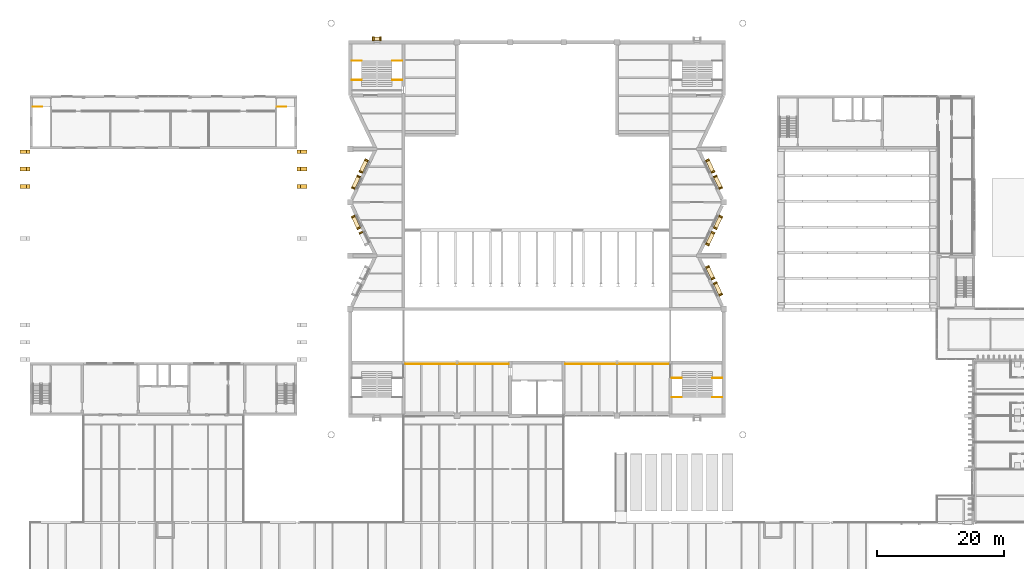
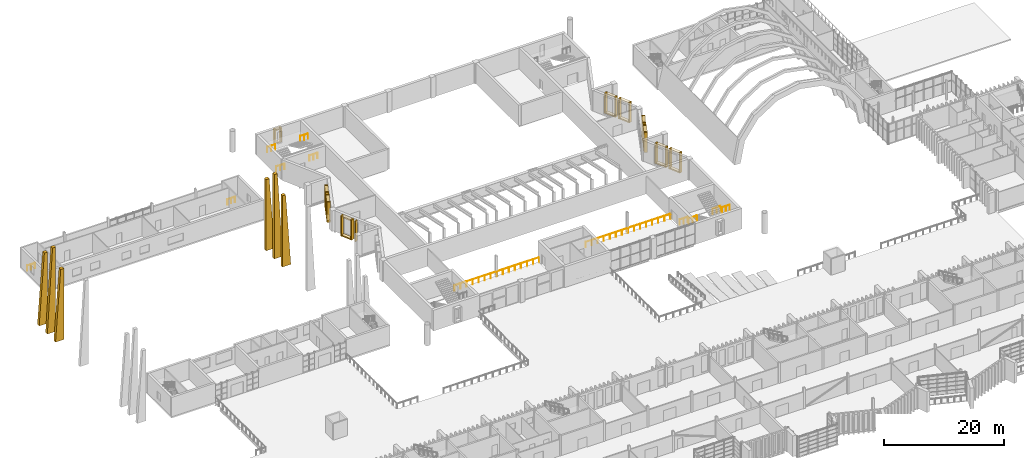
# One storey, part 89 of 96: 47 coverings, 12 railings.
"""IFC4 building model written with IfcOpenShell, lengths in metres."""

from ifc_helpers import new_model, si_unit, direction, frame, origin, origin_2d, place, context, subcontext, project, spatial, polyline, rectangle, circle, outline, extrude, material, type_object, element, save


model = new_model("IFC4")

# Units and contexts
model_context = context("Model", 3, precision=1e-05, world=origin(), true_north=direction((0.0, 1.0)))
body_context = subcontext(model_context, "Body", "Model", "MODEL_VIEW")
ifc_project = project(units=[si_unit("LENGTHUNIT", "METRE"), si_unit("AREAUNIT", "SQUARE_METRE"), si_unit("VOLUMEUNIT", "CUBIC_METRE"), si_unit("PLANEANGLEUNIT", "RADIAN"), si_unit("MASSUNIT", "GRAM", prefix="KILO")], contexts=[model_context])

# Site, building, storey
site_placement = place(None, origin())
site = spatial("IfcSite", under=ifc_project, at=site_placement, CompositionType="ELEMENT")
building_placement = place(site_placement, origin())
building = spatial("IfcBuilding", under=site, at=building_placement, Name="Cresset Court Congress Hotel", CompositionType="ELEMENT")
storey_placement = place(building_placement, frame((0.0, 0.0, 6.0)))
storey = spatial("IfcBuildingStorey", under=building, at=storey_placement, Name="L01", CompositionType="ELEMENT", Elevation=6.0)

# Railings
ifc_material_1 = material(Name="Steel and laminated glass", Category="steel")
railing_type_1 = type_object("IfcRailingType", Name="Guard 1100 steel and glass", PredefinedType="GUARDRAIL", material=ifc_material_1)
for number, where, name in (
    (1, (109.449951171875, 64.75, 0.0), "Guard CC-C2L01a"),
    (2, (115.800048828125, 64.75, 0.0), "Guard CC-C2L01b"),
    (3, (109.449951171875, 61.719970703125, 2.10009765625), "Guard CC-C2L01a"),
    (4, (115.800048828125, 61.719970703125, 2.10009765625), "Guard CC-C2L01b"),
    (5, (59.050048828125, 111.64990234375, 0.0), "Guard CC-C3L01a"),
    (6, (65.39990234375, 111.64990234375, 0.0), "Guard CC-C3L01b"),
    (7, (59.050048828125, 114.679931640625, 2.10009765625), "Guard CC-C3L01a"),
    (8, (65.39990234375, 114.679931640625, 2.10009765625), "Guard CC-C3L01b"),
):
    element("IfcRailing", number, at=place(storey_placement, frame(where)), inside=storey, type_object=railing_type_1, Name=name, PredefinedType="GUARDRAIL", context=body_context, shape_type="SweptSolid", body=[
        extrude(circle(Radius=0.02490234375, at=origin_2d()), frame((0.0, 0.0, 1.0751953125), z_axis=(1.0, 0.0, 0.0), x_axis=(0.0, 1.0, 0.0)), (0.0, 0.0, 1.0), 1.550048828125),
        extrude(circle(Radius=0.02001953125, at=origin_2d()), origin(), (0.0, 0.0, 1.0), 1.050048828125),
        extrude(circle(Radius=0.02001953125, at=origin_2d()), frame((0.77490234375, 0.0, 0.0)), (0.0, 0.0, 1.0), 1.050048828125),
        extrude(circle(Radius=0.02001953125, at=origin_2d()), frame((1.550048828125, 0.0, 0.0)), (0.0, 0.0, 1.0), 1.050048828125),
    ])
railing_1_placement = place(storey_placement, frame((67.449951171875, 66.949951171875, 0.0)))
element("IfcRailing", 9, at=railing_1_placement, inside=storey, type_object=railing_type_1, Name="Guard CG-G1", PredefinedType="GUARDRAIL", context=body_context, shape_type="SweptSolid", body=[
    extrude(circle(Radius=0.02490234375, at=origin_2d()), frame((0.0, 0.0, 1.0751953125), z_axis=(1.0, 0.0, 0.0), x_axis=(0.0, 1.0, 0.0)), (0.0, 0.0, 1.0), 16.300048828125),
    extrude(circle(Radius=0.02001953125, at=origin_2d()), origin(), (0.0, 0.0, 1.0), 1.050048828125),
    extrude(circle(Radius=0.02001953125, at=origin_2d()), frame((1.164306640625, 0.0, 0.0)), (0.0, 0.0, 1.0), 1.050048828125),
    extrude(circle(Radius=0.02001953125, at=origin_2d()), frame((2.32861328125, 0.0, 0.0)), (0.0, 0.0, 1.0), 1.050048828125),
    extrude(circle(Radius=0.02001953125, at=origin_2d()), frame((3.492919921875, 0.0, 0.0)), (0.0, 0.0, 1.0), 1.050048828125),
    extrude(circle(Radius=0.02001953125, at=origin_2d()), frame((4.6572265625, 0.0, 0.0)), (0.0, 0.0, 1.0), 1.050048828125),
    extrude(circle(Radius=0.02001953125, at=origin_2d()), frame((5.821533203125, 0.0, 0.0)), (0.0, 0.0, 1.0), 1.050048828125),
    extrude(circle(Radius=0.02001953125, at=origin_2d()), frame((6.98583984375, 0.0, 0.0)), (0.0, 0.0, 1.0), 1.050048828125),
    extrude(circle(Radius=0.02001953125, at=origin_2d()), frame((8.14990234375, 0.0, 0.0)), (0.0, 0.0, 1.0), 1.050048828125),
    extrude(circle(Radius=0.02001953125, at=origin_2d()), frame((9.314208984375, 0.0, 0.0)), (0.0, 0.0, 1.0), 1.050048828125),
    extrude(circle(Radius=0.02001953125, at=origin_2d()), frame((10.478515625, 0.0, 0.0)), (0.0, 0.0, 1.0), 1.050048828125),
    extrude(circle(Radius=0.02001953125, at=origin_2d()), frame((11.642822265625, 0.0, 0.0)), (0.0, 0.0, 1.0), 1.050048828125),
    extrude(circle(Radius=0.02001953125, at=origin_2d()), frame((12.80712890625, 0.0, 0.0)), (0.0, 0.0, 1.0), 1.050048828125),
    extrude(circle(Radius=0.02001953125, at=origin_2d()), frame((13.971435546875, 0.0, 0.0)), (0.0, 0.0, 1.0), 1.050048828125),
    extrude(circle(Radius=0.02001953125, at=origin_2d()), frame((15.1357421875, 0.0, 0.0)), (0.0, 0.0, 1.0), 1.050048828125),
    extrude(circle(Radius=0.02001953125, at=origin_2d()), frame((16.300048828125, 0.0, 0.0)), (0.0, 0.0, 1.0), 1.050048828125),
])
railing_2_placement = place(storey_placement, frame((92.64990234375, 66.949951171875, 0.0)))
element("IfcRailing", 10, at=railing_2_placement, inside=storey, type_object=railing_type_1, Name="Guard CG-G2", PredefinedType="GUARDRAIL", context=body_context, shape_type="SweptSolid", body=[
    extrude(circle(Radius=0.02490234375, at=origin_2d()), frame((0.0, 0.0, 1.0751953125), z_axis=(1.0, 0.0, 0.0), x_axis=(0.0, 1.0, 0.0)), (0.0, 0.0, 1.0), 16.300048828125),
    extrude(circle(Radius=0.02001953125, at=origin_2d()), origin(), (0.0, 0.0, 1.0), 1.050048828125),
    extrude(circle(Radius=0.02001953125, at=origin_2d()), frame((1.164306640625, 0.0, 0.0)), (0.0, 0.0, 1.0), 1.050048828125),
    extrude(circle(Radius=0.02001953125, at=origin_2d()), frame((2.32861328125, 0.0, 0.0)), (0.0, 0.0, 1.0), 1.050048828125),
    extrude(circle(Radius=0.02001953125, at=origin_2d()), frame((3.492919921875, 0.0, 0.0)), (0.0, 0.0, 1.0), 1.050048828125),
    extrude(circle(Radius=0.02001953125, at=origin_2d()), frame((4.6572265625, 0.0, 0.0)), (0.0, 0.0, 1.0), 1.050048828125),
    extrude(circle(Radius=0.02001953125, at=origin_2d()), frame((5.821533203125, 0.0, 0.0)), (0.0, 0.0, 1.0), 1.050048828125),
    extrude(circle(Radius=0.02001953125, at=origin_2d()), frame((6.98583984375, 0.0, 0.0)), (0.0, 0.0, 1.0), 1.050048828125),
    extrude(circle(Radius=0.02001953125, at=origin_2d()), frame((8.14990234375, 0.0, 0.0)), (0.0, 0.0, 1.0), 1.050048828125),
    extrude(circle(Radius=0.02001953125, at=origin_2d()), frame((9.314208984375, 0.0, 0.0)), (0.0, 0.0, 1.0), 1.050048828125),
    extrude(circle(Radius=0.02001953125, at=origin_2d()), frame((10.478515625, 0.0, 0.0)), (0.0, 0.0, 1.0), 1.050048828125),
    extrude(circle(Radius=0.02001953125, at=origin_2d()), frame((11.642822265625, 0.0, 0.0)), (0.0, 0.0, 1.0), 1.050048828125),
    extrude(circle(Radius=0.02001953125, at=origin_2d()), frame((12.80712890625, 0.0, 0.0)), (0.0, 0.0, 1.0), 1.050048828125),
    extrude(circle(Radius=0.02001953125, at=origin_2d()), frame((13.971435546875, 0.0, 0.0)), (0.0, 0.0, 1.0), 1.050048828125),
    extrude(circle(Radius=0.02001953125, at=origin_2d()), frame((15.1357421875, 0.0, 0.0)), (0.0, 0.0, 1.0), 1.050048828125),
    extrude(circle(Radius=0.02001953125, at=origin_2d()), frame((16.300048828125, 0.0, 0.0)), (0.0, 0.0, 1.0), 1.050048828125),
])

# Coverings
ifc_material_2 = material(Name="Precast concrete C50", Category="concrete")
covering_type_1 = type_object("IfcCoveringType", Name="Precast reveal frame member 250x600", PredefinedType="CLADDING", material=ifc_material_2)
for number, where, z_axis, x_axis, name in (
    (11, (60.469970703125, 97.18603515625, 0.050048828125), (0.0, 0.0, 1.0), (0.429932870312, 0.902860856957, 0.0), "Reveal frame NC-01-W0197a"),
    (12, (61.351318359375, 99.036865234375, 0.050048828125), (0.0, 0.0, 1.0), (0.429932870312, 0.902860856957, 0.0), "Reveal frame NC-01-W0197b"),
):
    element("IfcCovering", number, at=place(storey_placement, frame(where, z_axis=z_axis, x_axis=x_axis)), inside=storey, type_object=covering_type_1, Name=name, PredefinedType="CLADDING", context=body_context, shape_type="SweptSolid", body=[
        extrude(rectangle(XDim=0.25, YDim=0.60009765625, at=origin_2d()), origin(), (0.0, 0.0, 1.0), 4.10009765625),
    ])
for number, where, z_axis, x_axis, name in (
    (13, (60.91064453125, 98.111572265625, 3.89990234375), (0.0, 0.0, 1.0), (0.429932870312, 0.902860856957, 0.0), "Reveal frame NC-01-W0197c"),
    (14, (60.91064453125, 98.111572265625, 0.050048828125), (0.0, 0.0, 1.0), (0.429932870312, 0.902860856957, 0.0), "Reveal frame NC-01-W0197d"),
):
    element("IfcCovering", number, at=place(storey_placement, frame(where, z_axis=z_axis, x_axis=x_axis)), inside=storey, type_object=covering_type_1, Name=name, PredefinedType="CLADDING", context=body_context, shape_type="SweptSolid", body=[
        extrude(rectangle(XDim=1.800048828125, YDim=0.60009765625, at=origin_2d()), origin(), (0.0, 0.0, 1.0), 0.25),
    ])
for number, where, z_axis, x_axis, name in (
    (15, (59.255615234375, 94.635986328125, 0.050048828125), (0.0, 0.0, 1.0), (0.429932870312, 0.902860856957, 0.0), "Reveal frame NC-01-W0222a"),
    (16, (60.136962890625, 96.48681640625, 0.050048828125), (0.0, 0.0, 1.0), (0.429932870312, 0.902860856957, 0.0), "Reveal frame NC-01-W0222b"),
):
    element("IfcCovering", number, at=place(storey_placement, frame(where, z_axis=z_axis, x_axis=x_axis)), inside=storey, type_object=covering_type_1, Name=name, PredefinedType="CLADDING", context=body_context, shape_type="SweptSolid", body=[
        extrude(rectangle(XDim=0.25, YDim=0.60009765625, at=origin_2d()), origin(), (0.0, 0.0, 1.0), 4.10009765625),
    ])
for number, where, z_axis, x_axis, name in (
    (17, (59.6962890625, 95.5615234375, 3.89990234375), (0.0, 0.0, 1.0), (0.429932870312, 0.902860856957, 0.0), "Reveal frame NC-01-W0222c"),
    (18, (59.6962890625, 95.5615234375, 0.050048828125), (0.0, 0.0, 1.0), (0.429932870312, 0.902860856957, 0.0), "Reveal frame NC-01-W0222d"),
):
    element("IfcCovering", number, at=place(storey_placement, frame(where, z_axis=z_axis, x_axis=x_axis)), inside=storey, type_object=covering_type_1, Name=name, PredefinedType="CLADDING", context=body_context, shape_type="SweptSolid", body=[
        extrude(rectangle(XDim=1.800048828125, YDim=0.60009765625, at=origin_2d()), origin(), (0.0, 0.0, 1.0), 0.25),
    ])
for number, where, z_axis, x_axis, name in (
    (19, (60.136962890625, 88.31298828125, 0.050048828125), (0.0, 0.0, 1.0), (-0.429932870312, 0.902860856957, 0.0), "Reveal frame NC-01-W0281a"),
    (20, (59.255615234375, 90.163818359375, 0.050048828125), (0.0, 0.0, 1.0), (-0.429932870312, 0.902860856957, 0.0), "Reveal frame NC-01-W0281b"),
):
    element("IfcCovering", number, at=place(storey_placement, frame(where, z_axis=z_axis, x_axis=x_axis)), inside=storey, type_object=covering_type_1, Name=name, PredefinedType="CLADDING", context=body_context, shape_type="SweptSolid", body=[
        extrude(rectangle(XDim=0.25, YDim=0.60009765625, at=origin_2d()), origin(), (0.0, 0.0, 1.0), 4.10009765625),
    ])
for number, where, z_axis, x_axis, name in (
    (21, (59.6962890625, 89.238525390625, 3.89990234375), (0.0, 0.0, 1.0), (-0.429932870312, 0.902860856957, 0.0), "Reveal frame NC-01-W0281c"),
    (22, (59.6962890625, 89.238525390625, 0.050048828125), (0.0, 0.0, 1.0), (-0.429932870312, 0.902860856957, 0.0), "Reveal frame NC-01-W0281d"),
):
    element("IfcCovering", number, at=place(storey_placement, frame(where, z_axis=z_axis, x_axis=x_axis)), inside=storey, type_object=covering_type_1, Name=name, PredefinedType="CLADDING", context=body_context, shape_type="SweptSolid", body=[
        extrude(rectangle(XDim=1.800048828125, YDim=0.60009765625, at=origin_2d()), origin(), (0.0, 0.0, 1.0), 0.25),
    ])
for number, where, z_axis, x_axis, name in (
    (23, (60.469970703125, 87.614013671875, 0.050048828125), (0.0, 0.0, 1.0), (-0.429932870312, 0.902860856957, 0.0), "Reveal frame NC-01-W0306b"),
    (24, (116.262939453125, 79.68701171875, 0.050048828125), (0.0, 0.0, 1.0), (0.429932870312, -0.902860856957, 0.0), "Reveal frame NC-01-E0197a"),
    (25, (117.144287109375, 77.836181640625, 0.050048828125), (0.0, 0.0, 1.0), (0.429932870312, -0.902860856957, 0.0), "Reveal frame NC-01-E0197b"),
):
    element("IfcCovering", number, at=place(storey_placement, frame(where, z_axis=z_axis, x_axis=x_axis)), inside=storey, type_object=covering_type_1, Name=name, PredefinedType="CLADDING", context=body_context, shape_type="SweptSolid", body=[
        extrude(rectangle(XDim=0.25, YDim=0.60009765625, at=origin_2d()), origin(), (0.0, 0.0, 1.0), 4.10009765625),
    ])
for number, where, z_axis, x_axis, name in (
    (26, (116.70361328125, 78.761474609375, 3.89990234375), (0.0, 0.0, 1.0), (0.429932870312, -0.902860856957, 0.0), "Reveal frame NC-01-E0197c"),
    (27, (116.70361328125, 78.761474609375, 0.050048828125), (0.0, 0.0, 1.0), (0.429932870312, -0.902860856957, 0.0), "Reveal frame NC-01-E0197d"),
):
    element("IfcCovering", number, at=place(storey_placement, frame(where, z_axis=z_axis, x_axis=x_axis)), inside=storey, type_object=covering_type_1, Name=name, PredefinedType="CLADDING", context=body_context, shape_type="SweptSolid", body=[
        extrude(rectangle(XDim=1.800048828125, YDim=0.60009765625, at=origin_2d()), origin(), (0.0, 0.0, 1.0), 0.25),
    ])
for number, where, z_axis, x_axis, name in (
    (28, (115.048828125, 82.23681640625, 0.050048828125), (0.0, 0.0, 1.0), (0.429932870312, -0.902860856957, 0.0), "Reveal frame NC-01-E0222a"),
    (29, (115.93017578125, 80.385986328125, 0.050048828125), (0.0, 0.0, 1.0), (0.429932870312, -0.902860856957, 0.0), "Reveal frame NC-01-E0222b"),
):
    element("IfcCovering", number, at=place(storey_placement, frame(where, z_axis=z_axis, x_axis=x_axis)), inside=storey, type_object=covering_type_1, Name=name, PredefinedType="CLADDING", context=body_context, shape_type="SweptSolid", body=[
        extrude(rectangle(XDim=0.25, YDim=0.60009765625, at=origin_2d()), origin(), (0.0, 0.0, 1.0), 4.10009765625),
    ])
for number, where, z_axis, x_axis, name in (
    (30, (115.489501953125, 81.3115234375, 3.89990234375), (0.0, 0.0, 1.0), (0.429932870312, -0.902860856957, 0.0), "Reveal frame NC-01-E0222c"),
    (31, (115.489501953125, 81.3115234375, 0.050048828125), (0.0, 0.0, 1.0), (0.429932870312, -0.902860856957, 0.0), "Reveal frame NC-01-E0222d"),
):
    element("IfcCovering", number, at=place(storey_placement, frame(where, z_axis=z_axis, x_axis=x_axis)), inside=storey, type_object=covering_type_1, Name=name, PredefinedType="CLADDING", context=body_context, shape_type="SweptSolid", body=[
        extrude(rectangle(XDim=1.800048828125, YDim=0.60009765625, at=origin_2d()), origin(), (0.0, 0.0, 1.0), 0.25),
    ])
for number, where, z_axis, x_axis, name in (
    (32, (115.93017578125, 87.614013671875, 0.050048828125), (0.0, 0.0, 1.0), (-0.429932870312, -0.902860856957, 0.0), "Reveal frame NC-01-E0281a"),
    (33, (115.048583984375, 85.76318359375, 0.050048828125), (0.0, 0.0, 1.0), (-0.429932870312, -0.902860856957, 0.0), "Reveal frame NC-01-E0281b"),
):
    element("IfcCovering", number, at=place(storey_placement, frame(where, z_axis=z_axis, x_axis=x_axis)), inside=storey, type_object=covering_type_1, Name=name, PredefinedType="CLADDING", context=body_context, shape_type="SweptSolid", body=[
        extrude(rectangle(XDim=0.25, YDim=0.60009765625, at=origin_2d()), origin(), (0.0, 0.0, 1.0), 4.10009765625),
    ])
for number, where, z_axis, x_axis, name in (
    (34, (115.489501953125, 86.6884765625, 3.89990234375), (0.0, 0.0, 1.0), (-0.429932870312, -0.902860856957, 0.0), "Reveal frame NC-01-E0281c"),
    (35, (115.489501953125, 86.6884765625, 0.050048828125), (0.0, 0.0, 1.0), (-0.429932870312, -0.902860856957, 0.0), "Reveal frame NC-01-E0281d"),
):
    element("IfcCovering", number, at=place(storey_placement, frame(where, z_axis=z_axis, x_axis=x_axis)), inside=storey, type_object=covering_type_1, Name=name, PredefinedType="CLADDING", context=body_context, shape_type="SweptSolid", body=[
        extrude(rectangle(XDim=1.800048828125, YDim=0.60009765625, at=origin_2d()), origin(), (0.0, 0.0, 1.0), 0.25),
    ])
for number, where, z_axis, x_axis, name in (
    (36, (117.144287109375, 90.1640625, 0.050048828125), (0.0, 0.0, 1.0), (-0.429932870312, -0.902860856957, 0.0), "Reveal frame NC-01-E0306a"),
    (37, (116.262939453125, 88.31298828125, 0.050048828125), (0.0, 0.0, 1.0), (-0.429932870312, -0.902860856957, 0.0), "Reveal frame NC-01-E0306b"),
):
    element("IfcCovering", number, at=place(storey_placement, frame(where, z_axis=z_axis, x_axis=x_axis)), inside=storey, type_object=covering_type_1, Name=name, PredefinedType="CLADDING", context=body_context, shape_type="SweptSolid", body=[
        extrude(rectangle(XDim=0.25, YDim=0.60009765625, at=origin_2d()), origin(), (0.0, 0.0, 1.0), 4.10009765625),
    ])
for number, where, z_axis, x_axis, name in (
    (38, (116.70361328125, 89.238525390625, 3.89990234375), (0.0, 0.0, 1.0), (-0.429932870312, -0.902860856957, 0.0), "Reveal frame NC-01-E0306c"),
    (39, (116.70361328125, 89.238525390625, 0.050048828125), (0.0, 0.0, 1.0), (-0.429932870312, -0.902860856957, 0.0), "Reveal frame NC-01-E0306d"),
):
    element("IfcCovering", number, at=place(storey_placement, frame(where, z_axis=z_axis, x_axis=x_axis)), inside=storey, type_object=covering_type_1, Name=name, PredefinedType="CLADDING", context=body_context, shape_type="SweptSolid", body=[
        extrude(rectangle(XDim=1.800048828125, YDim=0.60009765625, at=origin_2d()), origin(), (0.0, 0.0, 1.0), 0.25),
    ])
for number, where, z_axis, x_axis, name in (
    (40, (116.262939453125, 96.48681640625, 0.050048828125), (0.0, 0.0, 1.0), (0.429932870312, -0.902860856957, 0.0), "Reveal frame NC-01-E0365a"),
    (41, (117.144287109375, 94.635986328125, 0.050048828125), (0.0, 0.0, 1.0), (0.429932870312, -0.902860856957, 0.0), "Reveal frame NC-01-E0365b"),
):
    element("IfcCovering", number, at=place(storey_placement, frame(where, z_axis=z_axis, x_axis=x_axis)), inside=storey, type_object=covering_type_1, Name=name, PredefinedType="CLADDING", context=body_context, shape_type="SweptSolid", body=[
        extrude(rectangle(XDim=0.25, YDim=0.60009765625, at=origin_2d()), origin(), (0.0, 0.0, 1.0), 4.10009765625),
    ])
for number, where, z_axis, x_axis, name in (
    (42, (116.70361328125, 95.5615234375, 3.89990234375), (0.0, 0.0, 1.0), (0.429932870312, -0.902860856957, 0.0), "Reveal frame NC-01-E0365c"),
    (43, (116.70361328125, 95.5615234375, 0.050048828125), (0.0, 0.0, 1.0), (0.429932870312, -0.902860856957, 0.0), "Reveal frame NC-01-E0365d"),
):
    element("IfcCovering", number, at=place(storey_placement, frame(where, z_axis=z_axis, x_axis=x_axis)), inside=storey, type_object=covering_type_1, Name=name, PredefinedType="CLADDING", context=body_context, shape_type="SweptSolid", body=[
        extrude(rectangle(XDim=1.800048828125, YDim=0.60009765625, at=origin_2d()), origin(), (0.0, 0.0, 1.0), 0.25),
    ])
for number, where, z_axis, x_axis, name in (
    (44, (115.048828125, 99.036865234375, 0.050048828125), (0.0, 0.0, 1.0), (0.429932870312, -0.902860856957, 0.0), "Reveal frame NC-01-E0390a"),
    (45, (115.93017578125, 97.18603515625, 0.050048828125), (0.0, 0.0, 1.0), (0.429932870312, -0.902860856957, 0.0), "Reveal frame NC-01-E0390b"),
):
    element("IfcCovering", number, at=place(storey_placement, frame(where, z_axis=z_axis, x_axis=x_axis)), inside=storey, type_object=covering_type_1, Name=name, PredefinedType="CLADDING", context=body_context, shape_type="SweptSolid", body=[
        extrude(rectangle(XDim=0.25, YDim=0.60009765625, at=origin_2d()), origin(), (0.0, 0.0, 1.0), 4.10009765625),
    ])
for number, where, z_axis, x_axis, name in (
    (46, (115.489501953125, 98.111572265625, 3.89990234375), (0.0, 0.0, 1.0), (0.429932870312, -0.902860856957, 0.0), "Reveal frame NC-01-E0390c"),
    (47, (115.489501953125, 98.111572265625, 0.050048828125), (0.0, 0.0, 1.0), (0.429932870312, -0.902860856957, 0.0), "Reveal frame NC-01-E0390d"),
):
    element("IfcCovering", number, at=place(storey_placement, frame(where, z_axis=z_axis, x_axis=x_axis)), inside=storey, type_object=covering_type_1, Name=name, PredefinedType="CLADDING", context=body_context, shape_type="SweptSolid", body=[
        extrude(rectangle(XDim=1.800048828125, YDim=0.60009765625, at=origin_2d()), origin(), (0.0, 0.0, 1.0), 0.25),
    ])
for number, where, z_axis, x_axis, name in (
    (48, (62.425048828125, 118.14990234375, 0.650146484375), (0.0, 0.0, 1.0), (1.0, 0.0, 0.0), "Reveal frame NC-01-C3a"),
    (49, (63.574951171875, 118.14990234375, 0.650146484375), (0.0, 0.0, 1.0), (1.0, 0.0, 0.0), "Reveal frame NC-01-C3b"),
):
    element("IfcCovering", number, at=place(storey_placement, frame(where, z_axis=z_axis, x_axis=x_axis)), inside=storey, type_object=covering_type_1, Name=name, PredefinedType="CLADDING", context=body_context, shape_type="SweptSolid", body=[
        extrude(rectangle(XDim=0.25, YDim=0.60009765625, at=origin_2d()), origin(), (0.0, 0.0, 1.0), 2.89990234375),
    ])
for number, where, z_axis, x_axis, name in (
    (50, (63.0, 118.14990234375, 3.300048828125), (0.0, 0.0, 1.0), (1.0, 0.0, 0.0), "Reveal frame NC-01-C3c"),
    (51, (63.0, 118.14990234375, 0.64990234375), (0.0, 0.0, 1.0), (1.0, 0.0, 0.0), "Reveal frame NC-01-C3d"),
):
    element("IfcCovering", number, at=place(storey_placement, frame(where, z_axis=z_axis, x_axis=x_axis)), inside=storey, type_object=covering_type_1, Name=name, PredefinedType="CLADDING", context=body_context, shape_type="SweptSolid", body=[
        extrude(rectangle(XDim=0.89990234375, YDim=0.60009765625, at=origin_2d()), origin(), (0.0, 0.0, 1.0), 0.25),
    ])
ifc_material_3 = material(Name="Board-marked concrete C50", Category="concrete")
covering_type_2 = type_object("IfcCoveringType", Name="Raked pier 600", PredefinedType="CLADDING", material=ifc_material_3)
covering_1_placement = place(storey_placement, frame((0.0, 94.89990234375, -6.0)))
element("IfcCovering", 52, at=covering_1_placement, inside=storey, type_object=covering_type_2, Name="Raked pier DB-W11", PredefinedType="CLADDING", context=body_context, shape_type="SweptSolid", body=[
    extrude(outline(polyline([(8.39990234375, 14.44677734375), (7.800048828125, 14.44677734375), (6.800048828125, 0.0), (8.39990234375, 0.0), (8.39990234375, 14.44677734375)])), frame((0.0, 0.300048828125, 0.0), z_axis=(0.0, -1.0, 0.0), x_axis=(1.0, 0.0, 0.0)), (0.0, 0.0, 1.0), 0.60009765625),
])
covering_2_placement = place(storey_placement, frame((0.0, 97.625, -6.0)))
element("IfcCovering", 53, at=covering_2_placement, inside=storey, type_object=covering_type_2, Name="Raked pier DB-W12", PredefinedType="CLADDING", context=body_context, shape_type="SweptSolid", body=[
    extrude(outline(polyline([(8.39990234375, 17.116455078125), (7.800048828125, 17.116455078125), (6.800048828125, 0.0), (8.39990234375, 0.0), (8.39990234375, 17.116455078125)])), frame((0.0, 0.300048828125, 0.0), z_axis=(0.0, -1.0, 0.0), x_axis=(1.0, 0.0, 0.0)), (0.0, 0.0, 1.0), 0.60009765625),
])
covering_3_placement = place(storey_placement, frame((0.0, 100.35009765625, -6.0)))
element("IfcCovering", 54, at=covering_3_placement, inside=storey, type_object=covering_type_2, Name="Raked pier DB-W13", PredefinedType="CLADDING", context=body_context, shape_type="SweptSolid", body=[
    extrude(outline(polyline([(8.39990234375, 14.44677734375), (7.800048828125, 14.44677734375), (6.800048828125, 0.0), (8.39990234375, 0.0), (8.39990234375, 14.44677734375)])), frame((0.0, 0.300048828125, 0.0), z_axis=(0.0, -1.0, 0.0), x_axis=(1.0, 0.0, 0.0)), (0.0, 0.0, 1.0), 0.60009765625),
])
covering_4_placement = place(storey_placement, frame((0.0, 94.89990234375, -6.0)))
element("IfcCovering", 55, at=covering_4_placement, inside=storey, type_object=covering_type_2, Name="Raked pier DB-E11", PredefinedType="CLADDING", context=body_context, shape_type="SweptSolid", body=[
    extrude(outline(polyline([(50.39990234375, 0.0), (52.0, 0.0), (51.0, 14.44677734375), (50.39990234375, 14.44677734375), (50.39990234375, 0.0)])), frame((0.0, 0.300048828125, 0.0), z_axis=(0.0, -1.0, 0.0), x_axis=(1.0, 0.0, 0.0)), (0.0, 0.0, 1.0), 0.60009765625),
])
covering_5_placement = place(storey_placement, frame((0.0, 97.625, -6.0)))
element("IfcCovering", 56, at=covering_5_placement, inside=storey, type_object=covering_type_2, Name="Raked pier DB-E12", PredefinedType="CLADDING", context=body_context, shape_type="SweptSolid", body=[
    extrude(outline(polyline([(50.39990234375, 0.0), (52.0, 0.0), (51.0, 17.116455078125), (50.39990234375, 17.116455078125), (50.39990234375, 0.0)])), frame((0.0, 0.300048828125, 0.0), z_axis=(0.0, -1.0, 0.0), x_axis=(1.0, 0.0, 0.0)), (0.0, 0.0, 1.0), 0.60009765625),
])
covering_6_placement = place(storey_placement, frame((0.0, 100.35009765625, -6.0)))
element("IfcCovering", 57, at=covering_6_placement, inside=storey, type_object=covering_type_2, Name="Raked pier DB-E13", PredefinedType="CLADDING", context=body_context, shape_type="SweptSolid", body=[
    extrude(outline(polyline([(50.39990234375, 0.0), (52.0, 0.0), (51.0, 14.44677734375), (50.39990234375, 14.44677734375), (50.39990234375, 0.0)])), frame((0.0, 0.300048828125, 0.0), z_axis=(0.0, -1.0, 0.0), x_axis=(1.0, 0.0, 0.0)), (0.0, 0.0, 1.0), 0.60009765625),
])

# Railings
ifc_material_4 = material(Name="Stainless steel", Category="steel")
railing_type_2 = type_object("IfcRailingType", Name="Stair guard 1100 internal", PredefinedType="GUARDRAIL", material=ifc_material_4)
for number, where, name in (
    (58, (8.800048828125, 107.449951171875, 0.0), "L01 ST-D3 top well guard 1"),
    (59, (47.25, 107.449951171875, 0.0), "L01 ST-D4 top well guard 1"),
):
    element("IfcRailing", number, at=place(storey_placement, frame(where)), inside=storey, type_object=railing_type_2, Name=name, PredefinedType="GUARDRAIL", context=body_context, shape_type="SweptSolid", body=[
        extrude(circle(Radius=0.02392578125, at=origin_2d()), frame((0.0, 0.0, 1.076171875), z_axis=(1.0, 0.0, 0.0), x_axis=(0.0, 1.0, 0.0)), (0.0, 0.0, 1.0), 1.449951171875),
        extrude(circle(Radius=0.02099609375, at=origin_2d()), origin(), (0.0, 0.0, 1.0), 1.052001953125),
        extrude(circle(Radius=0.02099609375, at=origin_2d()), frame((0.72509765625, 0.0, 0.0)), (0.0, 0.0, 1.0), 1.052001953125),
        extrude(circle(Radius=0.02099609375, at=origin_2d()), frame((1.449951171875, 0.0, 0.0)), (0.0, 0.0, 1.0), 1.052001953125),
    ])

save(model, "model.ifc")
